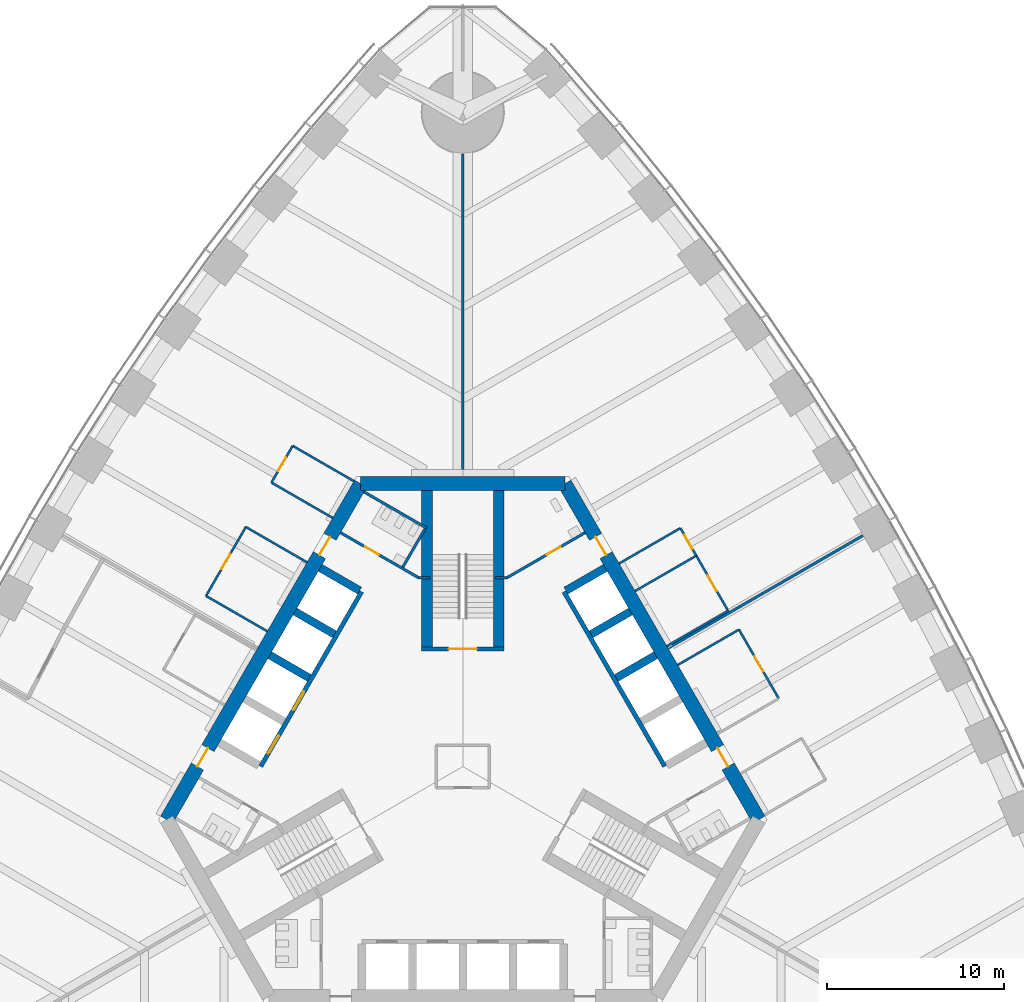
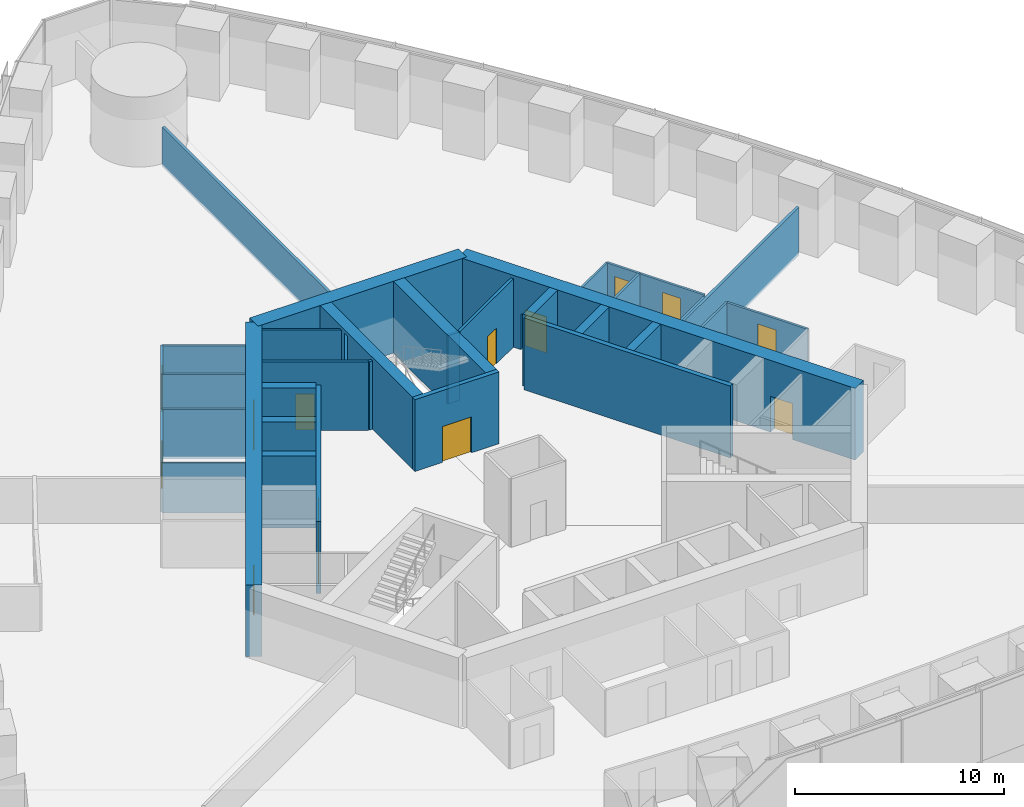
# One storey, part 12 of 18: 35 walls, 14 doors, 14 openings.
"""IFC4 building model written with IfcOpenShell, lengths in metres."""

from ifc_helpers import new_model, si_unit, direction, frame, frame_2d, origin, place, context, subcontext, project, spatial, rectangle, extrude, material, layer, layer_set, type_object, element, fill, save


model = new_model("IFC4")

# Units and contexts
model_context = context("Model", 3, precision=1e-05, world=origin(), true_north=direction((0.0, 1.0)))
body_context = subcontext(model_context, "Body", "Model", "MODEL_VIEW")
ifc_project = project(units=[si_unit("LENGTHUNIT", "METRE"), si_unit("AREAUNIT", "SQUARE_METRE"), si_unit("VOLUMEUNIT", "CUBIC_METRE"), si_unit("PLANEANGLEUNIT", "RADIAN"), si_unit("MASSUNIT", "GRAM", prefix="KILO")], contexts=[model_context])

# Site, building, storey
site_placement = place(None, origin())
site = spatial("IfcSite", under=ifc_project, at=site_placement, CompositionType="ELEMENT")
building_placement = place(site_placement, origin())
building = spatial("IfcBuilding", under=site, at=building_placement, Name="Trefoil Bronze Tower", CompositionType="ELEMENT")
storey_placement = place(building_placement, frame((0.0, 0.0, 71.10009765625)))
storey = spatial("IfcBuildingStorey", under=building, at=storey_placement, Name="L16", CompositionType="ELEMENT", Elevation=71.10009765625)

# Wall, openings, doors
ifc_material_1 = material(Name="Concrete B80", Category="concrete")
ifc_layer_1 = layer(ifc_material_1, 0.800048828125)
ifc_layer_set_1 = layer_set([ifc_layer_1], Name="Core wall 800")
wall_type_1 = type_object("IfcWallType", Name="Core wall 800", PredefinedType="SHEAR", material=ifc_layer_set_1)
wall_1_placement = place(storey_placement, frame((16.7431640625, -3.0, 0.0), z_axis=(0.0, 0.0, 1.0), x_axis=(-0.500002442456, 0.866023993627, 0.0)))
wall_1 = element("IfcWall", 1, at=wall_1_placement, inside=storey, type_object=wall_type_1, Name="Core long wall 2 L16", PredefinedType="SHEAR", context=body_context, shape_type="SweptSolid", body=[
    extrude(rectangle(XDim=21.939453125, YDim=0.800048828125, at=frame_2d((10.9697265625, 0.0))), origin(), (0.0, 0.0, 1.0), 4.199951171875),
])
opening_1_placement = place(wall_1_placement, frame((17.269775390625, 0.0, 0.0)))
opening_1 = element("IfcOpeningElement", 2, at=opening_1_placement, cuts=wall_1, Name="Opening D2", PredefinedType="OPENING", context=body_context, shape_type="SweptSolid", body=[
    extrude(rectangle(XDim=1.199951171875, YDim=2.10009765625, at=frame_2d((0.60009765625, 1.050048828125))), frame((0.0, 0.409912109375, 0.0), z_axis=(0.0, -1.0, 0.0), x_axis=(1.0, 0.0, 0.0)), (0.0, 0.0, 1.0), 0.820068359375),
])
opening_2_placement = place(wall_1_placement, frame((3.4697265625, 0.0, 0.0)))
opening_2 = element("IfcOpeningElement", 3, at=opening_2_placement, cuts=wall_1, Name="Opening D2", PredefinedType="OPENING", context=body_context, shape_type="SweptSolid", body=[
    extrude(rectangle(XDim=1.199951171875, YDim=2.10009765625, at=frame_2d((0.60009765625, 1.050048828125))), frame((0.0, 0.409912109375, 0.0), z_axis=(0.0, -1.0, 0.0), x_axis=(1.0, 0.0, 0.0)), (0.0, 0.0, 1.0), 0.820068359375),
])
ifc_material_2 = material(Name="Steel door", Category="steel")
door_type_1 = type_object("IfcDoorType", Name="Lobby door 1200", OperationType="SINGLE_SWING_RIGHT", PredefinedType="DOOR", material=ifc_material_2)
door_1_placement = place(opening_1_placement, origin())
door_1 = element("IfcDoor", 4, at=door_1_placement, inside=storey, type_object=door_type_1, Name="Lobby door F2+ L16", OperationType="SINGLE_SWING_RIGHT", OverallHeight=2.10009765625, OverallWidth=1.199951171875, PredefinedType="DOOR", context=body_context, shape_type="SweptSolid", body=[
    extrude(rectangle(XDim=1.199951171875, YDim=2.10009765625, at=frame_2d((0.60009765625, 1.050048828125))), frame((0.0, 0.02490234375, 0.0), z_axis=(0.0, -1.0, 0.0), x_axis=(1.0, 0.0, 0.0)), (0.0, 0.0, 1.0), 0.050048828125),
])
fill(opening_1, door_1)
door_2_placement = place(opening_2_placement, origin())
door_2 = element("IfcDoor", 5, at=door_2_placement, inside=storey, type_object=door_type_1, Name="Lobby door F2- L16", OperationType="SINGLE_SWING_LEFT", OverallHeight=2.10009765625, OverallWidth=1.199951171875, PredefinedType="DOOR", context=body_context, shape_type="SweptSolid", body=[
    extrude(rectangle(XDim=1.199951171875, YDim=2.10009765625, at=frame_2d((0.60009765625, 1.050048828125))), frame((0.0, 0.02490234375, 0.0), z_axis=(0.0, -1.0, 0.0), x_axis=(1.0, 0.0, 0.0)), (0.0, 0.0, 1.0), 0.050048828125),
])
fill(opening_2, door_2)

# Wall
wall_2_placement = place(storey_placement, frame((5.7734375, 16.0, 0.0), z_axis=(0.0, 0.0, 1.0), x_axis=(-1.0, 0.0, 0.0)))
element("IfcWall", 6, at=wall_2_placement, inside=storey, type_object=wall_type_1, Name="Core short wall 2 L16", PredefinedType="SHEAR", context=body_context, shape_type="SweptSolid", body=[
    extrude(rectangle(XDim=11.546875, YDim=0.800048828125, at=frame_2d((5.7734375, 0.0))), origin(), (0.0, 0.0, 1.0), 4.199951171875),
])

# Wall, openings, doors
wall_3_placement = place(storey_placement, frame((-5.7734375, 16.0, 0.0), z_axis=(0.0, 0.0, 1.0), x_axis=(-0.500002442456, -0.866023993627, 0.0)))
wall_3 = element("IfcWall", 7, at=wall_3_placement, inside=storey, type_object=wall_type_1, Name="Core long wall 3 L16", PredefinedType="SHEAR", context=body_context, shape_type="SweptSolid", body=[
    extrude(rectangle(XDim=21.939453125, YDim=0.800048828125, at=frame_2d((10.9697265625, 0.0))), origin(), (0.0, 0.0, 1.0), 4.199951171875),
])
opening_3_placement = place(wall_3_placement, frame((17.269775390625, 0.0, 0.0)))
opening_3 = element("IfcOpeningElement", 8, at=opening_3_placement, cuts=wall_3, Name="Opening D2", PredefinedType="OPENING", context=body_context, shape_type="SweptSolid", body=[
    extrude(rectangle(XDim=1.199951171875, YDim=2.10009765625, at=frame_2d((0.60009765625, 1.050048828125))), frame((0.0, 0.409912109375, 0.0), z_axis=(0.0, -1.0, 0.0), x_axis=(1.0, 0.0, 0.0)), (0.0, 0.0, 1.0), 0.820068359375),
])
opening_4_placement = place(wall_3_placement, frame((3.4697265625, 0.0, 0.0)))
opening_4 = element("IfcOpeningElement", 9, at=opening_4_placement, cuts=wall_3, Name="Opening D2", PredefinedType="OPENING", context=body_context, shape_type="SweptSolid", body=[
    extrude(rectangle(XDim=1.199951171875, YDim=2.10009765625, at=frame_2d((0.60009765625, 1.050048828125))), frame((0.0, 0.409912109375, 0.0), z_axis=(0.0, -1.0, 0.0), x_axis=(1.0, 0.0, 0.0)), (0.0, 0.0, 1.0), 0.820068359375),
])
door_3_placement = place(opening_3_placement, origin())
door_3 = element("IfcDoor", 10, at=door_3_placement, inside=storey, type_object=door_type_1, Name="Lobby door F3+ L16", OperationType="SINGLE_SWING_RIGHT", OverallHeight=2.10009765625, OverallWidth=1.199951171875, PredefinedType="DOOR", context=body_context, shape_type="SweptSolid", body=[
    extrude(rectangle(XDim=1.199951171875, YDim=2.10009765625, at=frame_2d((0.60009765625, 1.050048828125))), frame((0.0, 0.02490234375, 0.0), z_axis=(0.0, -1.0, 0.0), x_axis=(1.0, 0.0, 0.0)), (0.0, 0.0, 1.0), 0.050048828125),
])
fill(opening_3, door_3)
door_4_placement = place(opening_4_placement, origin())
door_4 = element("IfcDoor", 11, at=door_4_placement, inside=storey, type_object=door_type_1, Name="Lobby door F3- L16", OperationType="SINGLE_SWING_LEFT", OverallHeight=2.10009765625, OverallWidth=1.199951171875, PredefinedType="DOOR", context=body_context, shape_type="SweptSolid", body=[
    extrude(rectangle(XDim=1.199951171875, YDim=2.10009765625, at=frame_2d((0.60009765625, 1.050048828125))), frame((0.0, 0.02490234375, 0.0), z_axis=(0.0, -1.0, 0.0), x_axis=(1.0, 0.0, 0.0)), (0.0, 0.0, 1.0), 0.050048828125),
])
fill(opening_4, door_4)

# Wall, opening, door
ifc_material_3 = material(Name="Glazed partition", Category="glass")
ifc_layer_2 = layer(ifc_material_3, 0.1201171875)
ifc_layer_set_2 = layer_set([ifc_layer_2], Name="Glazed partition 120")
wall_type_2 = type_object("IfcWallType", Name="Glazed partition 120", PredefinedType="PARTITIONING", material=ifc_layer_set_2)
wall_4_placement = place(storey_placement, frame((15.00634765625, 8.808349609375, 0.0), z_axis=(0.0, 0.0, 1.0), x_axis=(-0.500012057535, 0.866018442252, 0.0)))
wall_4 = element("IfcWall", 12, at=wall_4_placement, inside=storey, type_object=wall_type_2, Name="Partition F2 L16", PredefinedType="PARTITIONING", context=body_context, shape_type="SweptSolid", body=[
    extrude(rectangle(XDim=3.60009765625, YDim=0.1201171875, at=frame_2d((1.800048828125, 0.0))), origin(), (0.0, 0.0, 1.0), 2.89990234375),
])
opening_5_placement = place(wall_4_placement, frame((1.300048828125, 0.0, 0.14990234375)))
opening_5 = element("IfcOpeningElement", 13, at=opening_5_placement, cuts=wall_4, Name="Opening D9", PredefinedType="OPENING", context=body_context, shape_type="SweptSolid", body=[
    extrude(rectangle(XDim=1.0, YDim=2.10009765625, at=frame_2d((0.5, 1.050048828125))), frame((0.0, 0.070068359375, 0.0), z_axis=(0.0, -1.0, 0.0), x_axis=(1.0, 0.0, 0.0)), (0.0, 0.0, 1.0), 0.14013671875),
])
ifc_material_4 = material(Name="Glazed timber door", Category="wood")
door_type_2 = type_object("IfcDoorType", Name="Meeting room door 1000", OperationType="SINGLE_SWING_LEFT", PredefinedType="DOOR", material=ifc_material_4)
door_5_placement = place(opening_5_placement, origin())
door_5 = element("IfcDoor", 14, at=door_5_placement, inside=storey, type_object=door_type_2, Name="Meeting room door F2 L16", OperationType="SINGLE_SWING_LEFT", OverallHeight=2.10009765625, OverallWidth=1.0, PredefinedType="DOOR", context=body_context, shape_type="SweptSolid", body=[
    extrude(rectangle(XDim=1.0, YDim=2.10009765625, at=frame_2d((0.5, 1.050048828125))), frame((0.0, 0.02490234375, 0.0), z_axis=(0.0, -1.0, 0.0), x_axis=(1.0, 0.0, 0.0)), (0.0, 0.0, 1.0), 0.050048828125),
])
fill(opening_5, door_5)

wall_5_placement = place(storey_placement, frame((13.206298828125, 11.926025390625, 0.0), z_axis=(0.0, 0.0, 1.0), x_axis=(-0.499961193289, 0.866047807691, 0.0)))
wall_5 = element("IfcWall", 15, at=wall_5_placement, inside=storey, type_object=wall_type_2, Name="Partition F2 L16", PredefinedType="PARTITIONING", context=body_context, shape_type="SweptSolid", body=[
    extrude(rectangle(XDim=1.800048828125, YDim=0.1201171875, at=frame_2d((0.89990234375, 0.0))), origin(), (0.0, 0.0, 1.0), 2.89990234375),
])
opening_6_placement = place(wall_5_placement, frame((0.449951171875, 0.0, 0.14990234375)))
opening_6 = element("IfcOpeningElement", 16, at=opening_6_placement, cuts=wall_5, Name="Opening D8", PredefinedType="OPENING", context=body_context, shape_type="SweptSolid", body=[
    extrude(rectangle(XDim=0.89990234375, YDim=2.10009765625, at=frame_2d((0.449951171875, 1.050048828125))), frame((0.0, 0.070068359375, 0.0), z_axis=(0.0, -1.0, 0.0), x_axis=(1.0, 0.0, 0.0)), (0.0, 0.0, 1.0), 0.14013671875),
])
ifc_material_5 = material(Name="Timber door", Category="wood")
door_type_3 = type_object("IfcDoorType", Name="Office door 900", OperationType="SINGLE_SWING_LEFT", PredefinedType="DOOR", material=ifc_material_5)
door_6_placement = place(opening_6_placement, origin())
door_6 = element("IfcDoor", 17, at=door_6_placement, inside=storey, type_object=door_type_3, Name="Focus room door F2 L16", OperationType="SINGLE_SWING_LEFT", OverallHeight=2.10009765625, OverallWidth=0.89990234375, PredefinedType="DOOR", context=body_context, shape_type="SweptSolid", body=[
    extrude(rectangle(XDim=0.89990234375, YDim=2.10009765625, at=frame_2d((0.449951171875, 1.050048828125))), frame((0.0, 0.02490234375, 0.0), z_axis=(0.0, -1.0, 0.0), x_axis=(1.0, 0.0, 0.0)), (0.0, 0.0, 1.0), 0.050048828125),
])
fill(opening_6, door_6)

wall_6_placement = place(storey_placement, frame((17.868896484375, 3.850341796875, 0.0), z_axis=(0.0, 0.0, 1.0), x_axis=(-0.500013631625, 0.866017533419, 0.0)))
wall_6 = element("IfcWall", 18, at=wall_6_placement, inside=storey, type_object=wall_type_2, Name="Partition F2 L16", PredefinedType="PARTITIONING", context=body_context, shape_type="SweptSolid", body=[
    extrude(rectangle(XDim=4.499755859375, YDim=0.1201171875, at=frame_2d((2.25, 0.0))), origin(), (0.0, 0.0, 1.0), 2.89990234375),
])
opening_7_placement = place(wall_6_placement, frame((1.75, 0.0, 0.14990234375)))
opening_7 = element("IfcOpeningElement", 19, at=opening_7_placement, cuts=wall_6, Name="Opening D9", PredefinedType="OPENING", context=body_context, shape_type="SweptSolid", body=[
    extrude(rectangle(XDim=1.0, YDim=2.10009765625, at=frame_2d((0.5, 1.050048828125))), frame((0.0, 0.070068359375, 0.0), z_axis=(0.0, -1.0, 0.0), x_axis=(1.0, 0.0, 0.0)), (0.0, 0.0, 1.0), 0.14013671875),
])
door_7_placement = place(opening_7_placement, origin())
door_7 = element("IfcDoor", 20, at=door_7_placement, inside=storey, type_object=door_type_2, Name="Project room door F2 L16", OperationType="SINGLE_SWING_RIGHT", OverallHeight=2.10009765625, OverallWidth=1.0, PredefinedType="DOOR", context=body_context, shape_type="SweptSolid", body=[
    extrude(rectangle(XDim=1.0, YDim=2.10009765625, at=frame_2d((0.5, 1.050048828125))), frame((0.0, 0.02490234375, 0.0), z_axis=(0.0, -1.0, 0.0), x_axis=(1.0, 0.0, 0.0)), (0.0, 0.0, 1.0), 0.050048828125),
])
fill(opening_7, door_7)

# Walls
wall_7_placement = place(storey_placement, frame((11.542236328125, 6.808349609375, 0.0), z_axis=(0.0, 0.0, 1.0), x_axis=(0.866026010844, 0.49999894854, 0.0)))
element("IfcWall", 21, at=wall_7_placement, inside=storey, type_object=wall_type_2, Name="Partition F2 L16", PredefinedType="PARTITIONING", context=body_context, shape_type="SweptSolid", body=[
    extrude(rectangle(XDim=4.0, YDim=0.1201171875, at=frame_2d((2.0, 0.0))), origin(), (0.0, 0.0, 1.0), 2.7998046875),
])
for number, where, z_axis, x_axis, name in (
    (22, (9.7421875, 9.926025390625, 0.0), (0.0, 0.0, 1.0), (0.866026010844, 0.49999894854, 0.0), "Partition F2 L16"),
    (23, (8.84228515625, 11.48486328125, 0.0), (0.0, 0.0, 1.0), (0.866026010844, 0.49999894854, 0.0), "Partition F2 L16"),
    (24, (12.15478515625, 5.747314453125, 0.0), (0.0, 0.0, 1.0), (0.866026010844, 0.49999894854, 0.0), "Partition F2 L16"),
):
    element("IfcWall", number, at=place(storey_placement, frame(where, z_axis=z_axis, x_axis=x_axis)), inside=storey, type_object=wall_type_2, Name=name, PredefinedType="PARTITIONING", context=body_context, shape_type="SweptSolid", body=[
        extrude(rectangle(XDim=4.0, YDim=0.1201171875, at=frame_2d((2.0, 0.0))), origin(), (0.0, 0.0, 1.0), 2.89990234375),
    ])

# Wall, opening, door
wall_8_placement = place(storey_placement, frame((-9.618896484375, 18.1396484375, 0.0), z_axis=(0.0, 0.0, 1.0), x_axis=(-0.500001309137, -0.866024647952, 0.0)))
wall_8 = element("IfcWall", 25, at=wall_8_placement, inside=storey, type_object=wall_type_2, Name="Partition F3 L16", PredefinedType="PARTITIONING", context=body_context, shape_type="SweptSolid", body=[
    extrude(rectangle(XDim=2.39990234375, YDim=0.1201171875, at=frame_2d((1.199951171875, 0.0))), origin(), (0.0, 0.0, 1.0), 2.89990234375),
])
opening_8_placement = place(wall_8_placement, frame((0.75, 0.0, 0.14990234375)))
opening_8 = element("IfcOpeningElement", 26, at=opening_8_placement, cuts=wall_8, Name="Opening D8", PredefinedType="OPENING", context=body_context, shape_type="SweptSolid", body=[
    extrude(rectangle(XDim=0.89990234375, YDim=2.10009765625, at=frame_2d((0.449951171875, 1.050048828125))), frame((0.0, 0.070068359375, 0.0), z_axis=(0.0, -1.0, 0.0), x_axis=(1.0, 0.0, 0.0)), (0.0, 0.0, 1.0), 0.14013671875),
])
door_8_placement = place(opening_8_placement, origin())
door_8 = element("IfcDoor", 27, at=door_8_placement, inside=storey, type_object=door_type_3, Name="Store door F3 L16", OperationType="SINGLE_SWING_RIGHT", OverallHeight=2.10009765625, OverallWidth=0.89990234375, PredefinedType="DOOR", context=body_context, shape_type="SweptSolid", body=[
    extrude(rectangle(XDim=0.89990234375, YDim=2.10009765625, at=frame_2d((0.449951171875, 1.050048828125))), frame((0.0, 0.02490234375, 0.0), z_axis=(0.0, -1.0, 0.0), x_axis=(1.0, 0.0, 0.0)), (0.0, 0.0, 1.0), 0.050048828125),
])
fill(opening_8, door_8)

wall_9_placement = place(storey_placement, frame((-12.268798828125, 13.5498046875, 0.0), z_axis=(0.0, 0.0, 1.0), x_axis=(-0.499990139034, -0.866031096941, 0.0)))
wall_9 = element("IfcWall", 28, at=wall_9_placement, inside=storey, type_object=wall_type_2, Name="Partition F3 L16", PredefinedType="PARTITIONING", context=body_context, shape_type="SweptSolid", body=[
    extrude(rectangle(XDim=4.5, YDim=0.1201171875, at=frame_2d((2.25, 0.0))), origin(), (0.0, 0.0, 1.0), 2.89990234375),
])
opening_9_placement = place(wall_9_placement, frame((1.75, 0.0, 0.14990234375)))
opening_9 = element("IfcOpeningElement", 29, at=opening_9_placement, cuts=wall_9, Name="Opening D9", PredefinedType="OPENING", context=body_context, shape_type="SweptSolid", body=[
    extrude(rectangle(XDim=1.0, YDim=2.10009765625, at=frame_2d((0.5, 1.050048828125))), frame((0.0, 0.070068359375, 0.0), z_axis=(0.0, -1.0, 0.0), x_axis=(1.0, 0.0, 0.0)), (0.0, 0.0, 1.0), 0.14013671875),
])
door_9_placement = place(opening_9_placement, origin())
door_9 = element("IfcDoor", 30, at=door_9_placement, inside=storey, type_object=door_type_2, Name="Project room door F3 L16", OperationType="SINGLE_SWING_RIGHT", OverallHeight=2.10009765625, OverallWidth=1.0, PredefinedType="DOOR", context=body_context, shape_type="SweptSolid", body=[
    extrude(rectangle(XDim=1.0, YDim=2.10009765625, at=frame_2d((0.5, 1.050048828125))), frame((0.0, 0.02490234375, 0.0), z_axis=(0.0, -1.0, 0.0), x_axis=(1.0, 0.0, 0.0)), (0.0, 0.0, 1.0), 0.050048828125),
])
fill(opening_9, door_9)

# Walls
for number, where, z_axis, x_axis, name in (
    (31, (-11.0546875, 7.652587890625, 0.0), (0.0, 0.0, 1.0), (-0.866026010844, 0.49999894854, 0.0), "Partition F3 L16"),
    (32, (-6.15478515625, 16.1396484375, 0.0), (0.0, 0.0, 1.0), (-0.866026010844, 0.49999894854, 0.0), "Partition F3 L16"),
    (33, (-8.8046875, 11.5498046875, 0.0), (0.0, 0.0, 1.0), (-0.866026010844, 0.49999894854, 0.0), "Partition F3 L16"),
    (34, (-7.354736328125, 14.061279296875, 0.0), (0.0, 0.0, 1.0), (-0.866026010844, 0.49999894854, 0.0), "Partition F3 L16"),
):
    element("IfcWall", number, at=place(storey_placement, frame(where, z_axis=z_axis, x_axis=x_axis)), inside=storey, type_object=wall_type_2, Name=name, PredefinedType="PARTITIONING", context=body_context, shape_type="SweptSolid", body=[
        extrude(rectangle(XDim=4.0, YDim=0.1201171875, at=frame_2d((2.0, 0.0))), origin(), (0.0, 0.0, 1.0), 2.89990234375),
    ])
ifc_material_6 = material(Name="Concrete B80", Category="concrete")
ifc_layer_3 = layer(ifc_material_6, 0.449951171875)
ifc_layer_set_3 = layer_set([ifc_layer_3], Name="Outrigger shaft wall 450")
wall_type_3 = type_object("IfcWallType", Name="Outrigger shaft wall 450", PredefinedType="SHEAR", material=ifc_layer_set_3)
for number, where, z_axis, x_axis, name in (
    (35, (8.681884765625, 5.012451171875, 0.0), (0.0, 0.0, 1.0), (0.866005588531, 0.500034319456, 0.0), "Lift shaft side wall B2 L16"),
    (36, (7.2568359375, 7.480712890625, 0.0), (0.0, 0.0, 1.0), (0.866046643894, 0.499963209246, 0.0), "Lift shaft side wall B3 L16"),
):
    element("IfcWall", number, at=place(storey_placement, frame(where, z_axis=z_axis, x_axis=x_axis)), inside=storey, type_object=wall_type_3, Name=name, PredefinedType="SHEAR", context=body_context, shape_type="SweptSolid", body=[
        extrude(rectangle(XDim=2.574951171875, YDim=0.449951171875, at=frame_2d((1.28759765625, 0.0))), origin(), (0.0, 0.0, 1.0), 4.199951171875),
    ])
for number, where, z_axis, x_axis, name in (
    (37, (5.831787109375, 9.94873046875, 0.0), (0.0, 0.0, 1.0), (0.866029291668, 0.499993265928, 0.0), "Lift shaft side wall B4 L16"),
    (38, (-5.831787109375, 9.94873046875, 0.0), (0.0, 0.0, 1.0), (-0.866029291668, 0.499993265928, 0.0), "Lift shaft side wall C0 L16"),
):
    element("IfcWall", number, at=place(storey_placement, frame(where, z_axis=z_axis, x_axis=x_axis)), inside=storey, type_object=wall_type_3, Name=name, PredefinedType="SHEAR", context=body_context, shape_type="SweptSolid", body=[
        extrude(rectangle(XDim=2.5751953125, YDim=0.449951171875, at=frame_2d((1.28759765625, 0.0))), origin(), (0.0, 0.0, 1.0), 4.199951171875),
    ])
for number, where, z_axis, x_axis, name in (
    (39, (-7.2568359375, 7.480712890625, 0.0), (0.0, 0.0, 1.0), (-0.866046643894, 0.499963209246, 0.0), "Lift shaft side wall C1 L16"),
    (40, (-8.681884765625, 5.012451171875, 0.0), (0.0, 0.0, 1.0), (-0.866005588531, 0.500034319456, 0.0), "Lift shaft side wall C2 L16"),
):
    element("IfcWall", number, at=place(storey_placement, frame(where, z_axis=z_axis, x_axis=x_axis)), inside=storey, type_object=wall_type_3, Name=name, PredefinedType="SHEAR", context=body_context, shape_type="SweptSolid", body=[
        extrude(rectangle(XDim=2.574951171875, YDim=0.449951171875, at=frame_2d((1.28759765625, 0.0))), origin(), (0.0, 0.0, 1.0), 4.199951171875),
    ])

# Wall, opening, door
ifc_material_7 = material(Name="Gypsum board on steel studs", Category="steel")
ifc_layer_4 = layer(ifc_material_7, 0.14990234375)
ifc_layer_set_4 = layer_set([ifc_layer_4], Name="Partition 150")
wall_type_4 = type_object("IfcWallType", Name="Partition 150", PredefinedType="PARTITIONING", material=ifc_layer_set_4)
wall_10_placement = place(storey_placement, frame((2.4951171875, 10.67822265625, 0.0), z_axis=(0.0, 0.0, 1.0), x_axis=(0.86602216432, 0.500005610874, 0.0)))
wall_10 = element("IfcWall", 41, at=wall_10_placement, inside=storey, type_object=wall_type_4, Name="Passage wall F2+ L16", PredefinedType="PARTITIONING", context=body_context, shape_type="SweptSolid", body=[
    extrude(rectangle(XDim=5.10009765625, YDim=0.14990234375, at=frame_2d((2.550048828125, 0.0))), origin(), (0.0, 0.0, 1.0), 4.0),
])
opening_10_placement = place(wall_10_placement, frame((2.60009765625, 0.0, 0.0)))
opening_10 = element("IfcOpeningElement", 42, at=opening_10_placement, cuts=wall_10, Name="Opening D3", PredefinedType="OPENING", context=body_context, shape_type="SweptSolid", body=[
    extrude(rectangle(XDim=0.89990234375, YDim=2.10009765625, at=frame_2d((0.449951171875, 1.050048828125))), frame((0.0, 0.0849609375, 0.0), z_axis=(0.0, -1.0, 0.0), x_axis=(1.0, 0.0, 0.0)), (0.0, 0.0, 1.0), 0.169921875),
])
ifc_material_8 = material(Name="Timber door", Category="wood")
door_type_4 = type_object("IfcDoorType", Name="WC door 900", OperationType="SINGLE_SWING_LEFT", PredefinedType="DOOR", material=ifc_material_8)
door_10_placement = place(opening_10_placement, origin())
door_10 = element("IfcDoor", 43, at=door_10_placement, inside=storey, type_object=door_type_4, Name="Accessible WC door L16", OperationType="SINGLE_SWING_RIGHT", OverallHeight=2.10009765625, OverallWidth=0.89990234375, PredefinedType="DOOR", context=body_context, shape_type="SweptSolid", body=[
    extrude(rectangle(XDim=0.89990234375, YDim=2.10009765625, at=frame_2d((0.449951171875, 1.050048828125))), frame((0.0, 0.02490234375, 0.0), z_axis=(0.0, -1.0, 0.0), x_axis=(1.0, 0.0, 0.0)), (0.0, 0.0, 1.0), 0.050048828125),
])
fill(opening_10, door_10)

wall_11_placement = place(storey_placement, frame((-2.4951171875, 10.67822265625, 0.0), z_axis=(0.0, 0.0, 1.0), x_axis=(-0.86602216432, 0.500005610874, 0.0)))
wall_11 = element("IfcWall", 44, at=wall_11_placement, inside=storey, type_object=wall_type_4, Name="Passage wall F3- L16", PredefinedType="PARTITIONING", context=body_context, shape_type="SweptSolid", body=[
    extrude(rectangle(XDim=5.10009765625, YDim=0.14990234375, at=frame_2d((2.550048828125, 0.0))), origin(), (0.0, 0.0, 1.0), 4.0),
])
opening_11_placement = place(wall_11_placement, frame((2.60009765625, 0.0, 0.0)))
opening_11 = element("IfcOpeningElement", 45, at=opening_11_placement, cuts=wall_11, Name="Opening D3", PredefinedType="OPENING", context=body_context, shape_type="SweptSolid", body=[
    extrude(rectangle(XDim=0.89990234375, YDim=2.10009765625, at=frame_2d((0.449951171875, 1.050048828125))), frame((0.0, 0.0849609375, 0.0), z_axis=(0.0, -1.0, 0.0), x_axis=(1.0, 0.0, 0.0)), (0.0, 0.0, 1.0), 0.169921875),
])
door_11_placement = place(opening_11_placement, frame((0.89990234375, 0.0, 0.0), z_axis=(0.0, 0.0, 1.0), x_axis=(-1.0, 0.0, 0.0)))
door_11 = element("IfcDoor", 46, at=door_11_placement, inside=storey, type_object=door_type_4, Name="WC (women) door L16", OperationType="SINGLE_SWING_RIGHT", OverallHeight=2.10009765625, OverallWidth=0.89990234375, PredefinedType="DOOR", context=body_context, shape_type="SweptSolid", body=[
    extrude(rectangle(XDim=0.89990234375, YDim=2.10009765625, at=frame_2d((0.449951171875, 1.050048828125))), frame((0.0, 0.02490234375, 0.0), z_axis=(0.0, -1.0, 0.0), x_axis=(1.0, 0.0, 0.0)), (0.0, 0.0, 1.0), 0.050048828125),
])
fill(opening_11, door_11)

# Walls
for number, where, z_axis, x_axis, name in (
    (47, (2.4951171875, 10.67822265625, 0.0), (0.0, 0.0, 1.0), (-1.0, 0.0, 0.0), "WC wall ST2-1 L16"),
    (48, (-2.4951171875, 10.67822265625, 0.0), (0.0, 0.0, 1.0), (1.0, 0.0, 0.0), "WC wall ST2+1 L16"),
):
    element("IfcWall", number, at=place(storey_placement, frame(where, z_axis=z_axis, x_axis=x_axis)), inside=storey, type_object=wall_type_4, Name=name, PredefinedType="PARTITIONING", context=body_context, shape_type="SweptSolid", body=[
        extrude(rectangle(XDim=0.64501953125, YDim=0.14990234375, at=frame_2d((0.322509765625, 0.0))), origin(), (0.0, 0.0, 1.0), 4.0),
    ])
wall_12_placement = place(storey_placement, frame((-2.03125, 13.48193359375, 0.0), z_axis=(0.0, 0.0, 1.0), x_axis=(-0.866050731258, 0.499956128963, 0.0)))
element("IfcWall", 49, at=wall_12_placement, inside=storey, type_object=wall_type_4, Name="WC partition WC (women) L16", PredefinedType="PARTITIONING", context=body_context, shape_type="SweptSolid", body=[
    extrude(rectangle(XDim=4.099853515625, YDim=0.14990234375, at=frame_2d((2.0498046875, 0.0))), origin(), (0.0, 0.0, 1.0), 4.0),
])
wall_13_placement = place(storey_placement, frame((-3.388671875, 11.28076171875, 0.0), z_axis=(0.0, 0.0, 1.0), x_axis=(0.499989096993, 0.866031698547, 0.0)))
element("IfcWall", 50, at=wall_13_placement, inside=storey, type_object=wall_type_4, Name="WC partition WC (women) L16", PredefinedType="PARTITIONING", context=body_context, shape_type="SweptSolid", body=[
    extrude(rectangle(XDim=2.509765625, YDim=0.14990234375, at=frame_2d((1.2548828125, 0.0))), origin(), (0.0, 0.0, 1.0), 4.0),
])
ifc_material_9 = material(Name="Gypsum board on steel studs", Category="steel")
ifc_layer_5 = layer(ifc_material_9, 0.14990234375)
ifc_layer_set_5 = layer_set([ifc_layer_5], Name="Party wall 150")
wall_type_5 = type_object("IfcWallType", Name="Party wall 150", PredefinedType="PARTITIONING", material=ifc_layer_set_5)
wall_14_placement = place(storey_placement, frame((0.0, 16.39990234375, 0.0), z_axis=(0.0, 0.0, 1.0), x_axis=(0.0, 1.0, 0.0)))
element("IfcWall", 51, at=wall_14_placement, inside=storey, type_object=wall_type_5, Name="Party wall K2 L16", PredefinedType="PARTITIONING", context=body_context, shape_type="SweptSolid", body=[
    extrude(rectangle(XDim=18.25, YDim=0.14990234375, at=frame_2d((9.125, 0.0))), origin(), (0.0, 0.0, 1.0), 2.2998046875),
])
wall_15_placement = place(storey_placement, frame((11.61328125, 6.705078125, 0.0), z_axis=(0.0, 0.0, 1.0), x_axis=(0.866029791586, 0.499992400027, 0.0)))
element("IfcWall", 52, at=wall_15_placement, inside=storey, type_object=wall_type_5, Name="Demising wall F2 L16", PredefinedType="PARTITIONING", context=body_context, shape_type="SweptSolid", body=[
    extrude(rectangle(XDim=12.708740234375, YDim=0.14990234375, at=frame_2d((6.3544921875, 0.0))), origin(), (0.0, 0.0, 1.0), 2.7998046875),
])
ifc_material_10 = material(Name="Concrete B80", Category="concrete")
ifc_layer_6 = layer(ifc_material_10, 0.25)
ifc_layer_set_6 = layer_set([ifc_layer_6], Name="Shaft wall 250")
wall_type_6 = type_object("IfcWallType", Name="Shaft wall 250", PredefinedType="SHEAR", material=ifc_layer_set_6)
wall_16_placement = place(storey_placement, frame((11.423583984375, 0.013671875, 0.0), z_axis=(0.0, 0.0, 1.0), x_axis=(-0.500001763848, 0.866024385424, 0.0)))
element("IfcWall", 53, at=wall_16_placement, inside=storey, type_object=wall_type_6, Name="Lift shaft front wall B L16", PredefinedType="SHEAR", context=body_context, shape_type="SweptSolid", body=[
    extrude(rectangle(XDim=11.39990234375, YDim=0.25, at=frame_2d((5.699951171875, 0.0))), origin(), (0.0, 0.0, 1.0), 4.199951171875),
])

# Wall, openings, doors
wall_17_placement = place(storey_placement, frame((-5.7236328125, 9.88623046875, 0.0), z_axis=(0.0, 0.0, 1.0), x_axis=(-0.500001763848, -0.866024385424, 0.0)))
wall_17 = element("IfcWall", 54, at=wall_17_placement, inside=storey, type_object=wall_type_6, Name="Lift shaft front wall C L16", PredefinedType="SHEAR", context=body_context, shape_type="SweptSolid", body=[
    extrude(rectangle(XDim=11.39990234375, YDim=0.25, at=frame_2d((5.699951171875, 0.0))), origin(), (0.0, 0.0, 1.0), 4.199951171875),
])
opening_12_placement = place(wall_17_placement, frame((6.52490234375, 0.0, 0.0)))
opening_12 = element("IfcOpeningElement", 55, at=opening_12_placement, cuts=wall_17, Name="Opening LD-FL1", PredefinedType="OPENING", context=body_context, shape_type="SweptSolid", body=[
    extrude(rectangle(XDim=1.199951171875, YDim=2.199951171875, at=frame_2d((0.60009765625, 1.10009765625))), frame((0.0, 0.135009765625, 0.0), z_axis=(0.0, -1.0, 0.0), x_axis=(1.0, 0.0, 0.0)), (0.0, 0.0, 1.0), 0.27001953125),
])
opening_13_placement = place(wall_17_placement, frame((9.375, 0.0, 0.0)))
opening_13 = element("IfcOpeningElement", 56, at=opening_13_placement, cuts=wall_17, Name="Opening LD-FL2", PredefinedType="OPENING", context=body_context, shape_type="SweptSolid", body=[
    extrude(rectangle(XDim=1.199951171875, YDim=2.199951171875, at=frame_2d((0.60009765625, 1.10009765625))), frame((0.0, 0.135009765625, 0.0), z_axis=(0.0, -1.0, 0.0), x_axis=(1.0, 0.0, 0.0)), (0.0, 0.0, 1.0), 0.27001953125),
])
ifc_material_11 = material(Name="Steel door", Category="steel")
door_type_5 = type_object("IfcDoorType", Name="Lift landing door 1200", OperationType="DOUBLE_DOOR_SLIDING", PredefinedType="DOOR", material=ifc_material_11)
door_12_placement = place(opening_12_placement, origin())
door_12 = element("IfcDoor", 57, at=door_12_placement, inside=storey, type_object=door_type_5, Name="Lift FL1 landing door L16", OperationType="DOUBLE_DOOR_SLIDING", OverallHeight=2.199951171875, OverallWidth=1.199951171875, PredefinedType="DOOR", context=body_context, shape_type="SweptSolid", body=[
    extrude(rectangle(XDim=1.199951171875, YDim=2.199951171875, at=frame_2d((0.60009765625, 1.10009765625))), frame((0.0, 0.02490234375, 0.0), z_axis=(0.0, -1.0, 0.0), x_axis=(1.0, 0.0, 0.0)), (0.0, 0.0, 1.0), 0.050048828125),
])
fill(opening_12, door_12)
door_13_placement = place(opening_13_placement, origin())
door_13 = element("IfcDoor", 58, at=door_13_placement, inside=storey, type_object=door_type_5, Name="Lift FL2 landing door L16", OperationType="DOUBLE_DOOR_SLIDING", OverallHeight=2.199951171875, OverallWidth=1.199951171875, PredefinedType="DOOR", context=body_context, shape_type="SweptSolid", body=[
    extrude(rectangle(XDim=1.199951171875, YDim=2.199951171875, at=frame_2d((0.60009765625, 1.10009765625))), frame((0.0, 0.02490234375, 0.0), z_axis=(0.0, -1.0, 0.0), x_axis=(1.0, 0.0, 0.0)), (0.0, 0.0, 1.0), 0.050048828125),
])
fill(opening_13, door_13)

# Wall, opening, door
wall_18_placement = place(storey_placement, frame((2.324951171875, 6.64990234375, 0.0), z_axis=(0.0, 0.0, 1.0), x_axis=(-1.0, 0.0, 0.0)))
wall_18 = element("IfcWall", 59, at=wall_18_placement, inside=storey, type_object=wall_type_6, Name="Stair end wall ST2 L16", PredefinedType="SHEAR", context=body_context, shape_type="SweptSolid", body=[
    extrude(rectangle(XDim=4.64990234375, YDim=0.25, at=frame_2d((2.324951171875, 0.0))), origin(), (0.0, 0.0, 1.0), 4.199951171875),
])
opening_14_placement = place(wall_18_placement, frame((1.52490234375, 0.0, 0.0)))
opening_14 = element("IfcOpeningElement", 60, at=opening_14_placement, cuts=wall_18, Name="Opening D1", PredefinedType="OPENING", context=body_context, shape_type="SweptSolid", body=[
    extrude(rectangle(XDim=1.60009765625, YDim=2.10009765625, at=frame_2d((0.800048828125, 1.050048828125))), frame((0.0, 0.135009765625, 0.0), z_axis=(0.0, -1.0, 0.0), x_axis=(1.0, 0.0, 0.0)), (0.0, 0.0, 1.0), 0.27001953125),
])
ifc_material_12 = material(Name="Steel door", Category="steel")
door_type_6 = type_object("IfcDoorType", Name="Stair door 1600", OperationType="DOUBLE_DOOR_SINGLE_SWING", PredefinedType="DOOR", material=ifc_material_12)
door_14_placement = place(opening_14_placement, frame((1.60009765625, 0.0, 0.0), z_axis=(0.0, 0.0, 1.0), x_axis=(-1.0, 0.0, 0.0)))
door_14 = element("IfcDoor", 61, at=door_14_placement, inside=storey, type_object=door_type_6, Name="Stair door ST2 L16", OperationType="DOUBLE_DOOR_SINGLE_SWING", OverallHeight=2.10009765625, OverallWidth=1.60009765625, PredefinedType="DOOR", context=body_context, shape_type="SweptSolid", body=[
    extrude(rectangle(XDim=1.60009765625, YDim=2.10009765625, at=frame_2d((0.800048828125, 1.050048828125))), frame((0.0, 0.02490234375, 0.0), z_axis=(0.0, -1.0, 0.0), x_axis=(1.0, 0.0, 0.0)), (0.0, 0.0, 1.0), 0.050048828125),
])
fill(opening_14, door_14)

# Walls
ifc_material_13 = material(Name="Concrete B80", Category="concrete")
ifc_layer_7 = layer(ifc_material_13, 0.60009765625)
ifc_layer_set_7 = layer_set([ifc_layer_7], Name="Stair wall 600")
wall_type_7 = type_object("IfcWallType", Name="Stair wall 600", PredefinedType="SHEAR", material=ifc_layer_set_7)
for number, where, z_axis, x_axis, name in (
    (62, (2.02490234375, 6.52490234375, 0.0), (0.0, 0.0, 1.0), (0.0, 1.0, 0.0), "Stair wall ST2 L16"),
    (63, (-2.02490234375, 6.52490234375, 0.0), (0.0, 0.0, 1.0), (0.0, 1.0, 0.0), "Stair wall ST2 L16"),
):
    element("IfcWall", number, at=place(storey_placement, frame(where, z_axis=z_axis, x_axis=x_axis)), inside=storey, type_object=wall_type_7, Name=name, PredefinedType="SHEAR", context=body_context, shape_type="SweptSolid", body=[
        extrude(rectangle(XDim=9.0751953125, YDim=0.60009765625, at=frame_2d((4.53759765625, 0.0))), origin(), (0.0, 0.0, 1.0), 4.199951171875),
    ])

save(model, "model.ifc")
